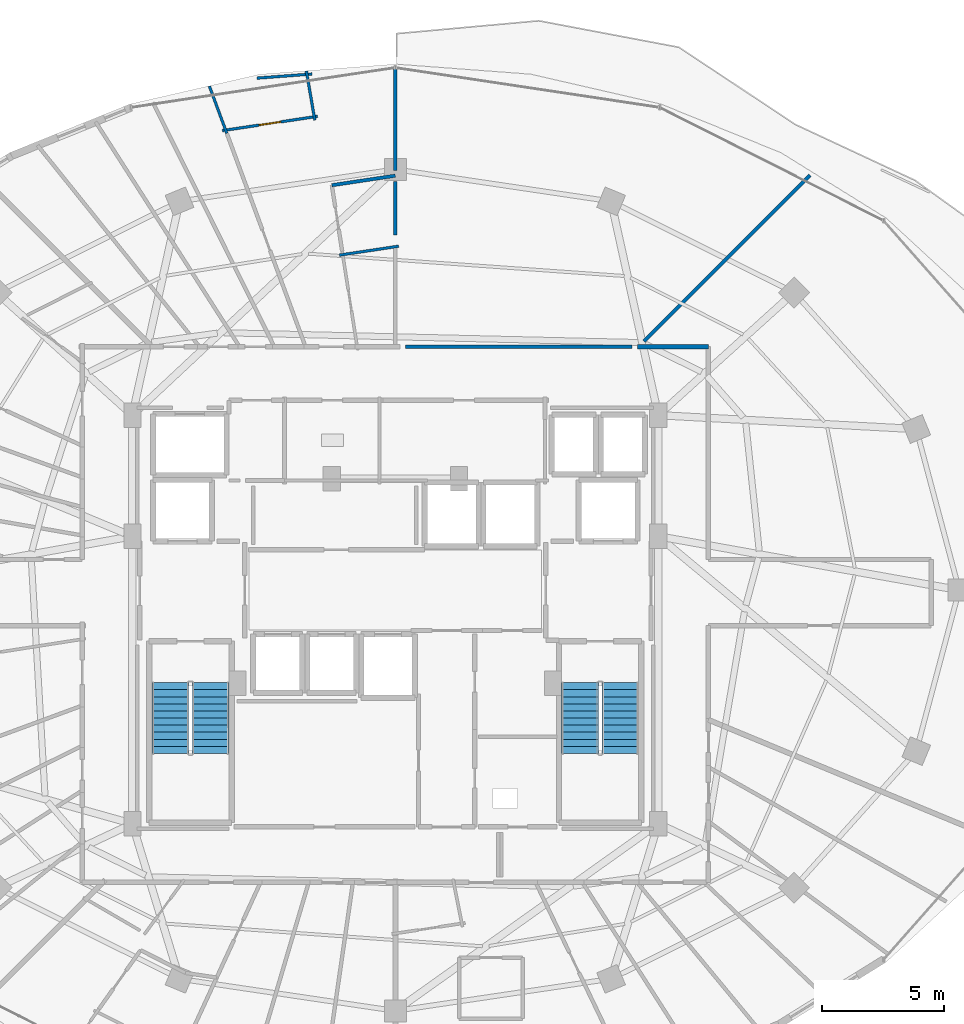
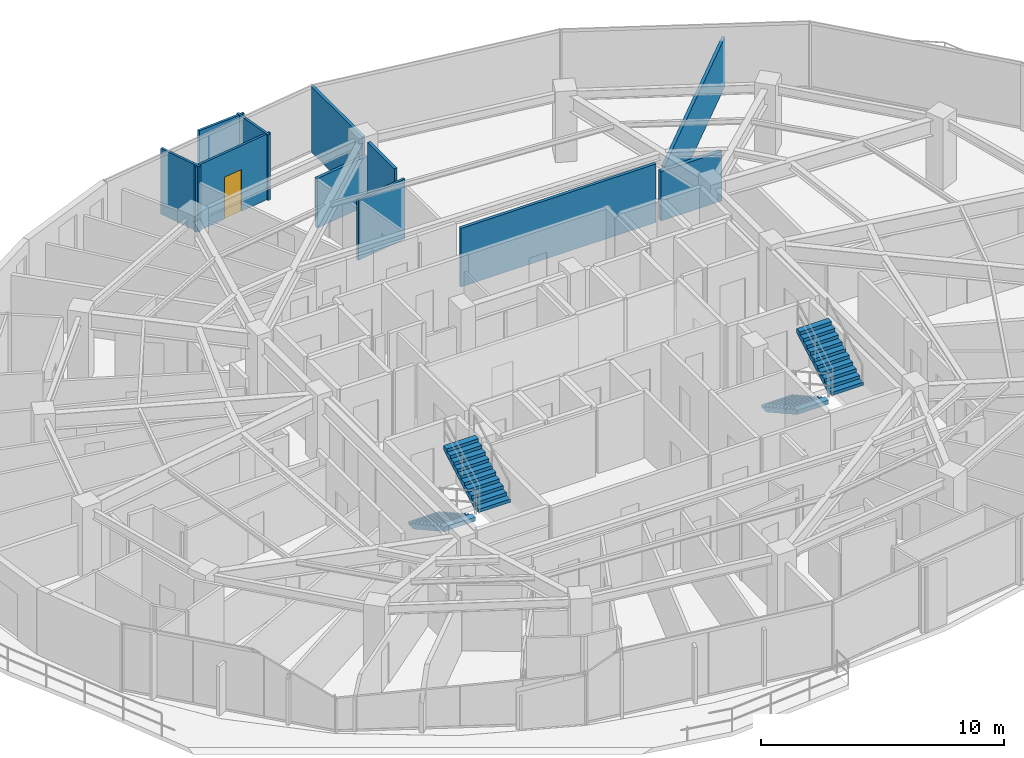
# One storey, part 29 of 32: 11 walls, 4 stair flights, 1 door, 1 opening, 2 elements without a shape of their own.
"""IFC4 building model written with IfcOpenShell, lengths in metres."""

from ifc_helpers import new_model, si_unit, direction, frame, frame_2d, origin, place, context, subcontext, project, spatial, polyline, rectangle, outline, extrude, material, layer, layer_set, type_object, element, fill, aggregate, save


model = new_model("IFC4")

# Units and contexts
model_context = context("Model", 3, precision=1e-05, world=origin(), true_north=direction((0.0, 1.0)))
body_context = subcontext(model_context, "Body", "Model", "MODEL_VIEW")
ifc_project = project(units=[si_unit("LENGTHUNIT", "METRE"), si_unit("AREAUNIT", "SQUARE_METRE"), si_unit("VOLUMEUNIT", "CUBIC_METRE"), si_unit("PLANEANGLEUNIT", "RADIAN"), si_unit("MASSUNIT", "GRAM", prefix="KILO")], contexts=[model_context])

# Site, building, storey
site_placement = place(None, origin())
site = spatial("IfcSite", under=ifc_project, at=site_placement, CompositionType="ELEMENT")
building_placement = place(site_placement, origin())
building = spatial("IfcBuilding", under=site, at=building_placement, Name="Vorneva Point Tower", CompositionType="ELEMENT")
storey_placement = place(building_placement, frame((0.0, 0.0, 207.199951171875)))
storey = spatial("IfcBuildingStorey", under=building, at=storey_placement, Name="L56", CompositionType="ELEMENT", Elevation=207.199951171875)

# Walls
ifc_material_1 = material(Name="Fire-rated acoustic gypsum stud partition", Category="gypsum")
ifc_layer_1 = layer(ifc_material_1, 0.110107421875)
ifc_layer_set_1 = layer_set([ifc_layer_1], Name="Fire-rated acoustic gypsum stud partition")
wall_type_1 = type_object("IfcWallType", Name="WL-PART-110", PredefinedType="PARTITIONING", material=ifc_layer_set_1)
wall_1_placement = place(storey_placement, frame((34.588623046875, 47.095458984375, 0.0), z_axis=(0.0, 0.0, 1.0), x_axis=(-0.997205784552, -0.074703569226, 0.0)))
element("IfcWall", 1, at=wall_1_placement, inside=storey, type_object=wall_type_1, Name="L56 Interior Partition 072", PredefinedType="PARTITIONING", context=body_context, shape_type="SweptSolid", body=[
    extrude(rectangle(XDim=2.24853515625, YDim=0.110107421875, at=frame_2d((1.124267578125, 0.0))), origin(), (0.0, 0.0, 1.0), 3.2900390625),
])
wall_2_placement = place(storey_placement, frame((34.365478515625, 47.218017578125, 0.0), z_axis=(0.0, 0.0, 1.0), x_axis=(0.168804313657, -0.985649584635, 0.0)))
element("IfcWall", 2, at=wall_2_placement, inside=storey, type_object=wall_type_1, Name="L56 Interior Partition 073", PredefinedType="PARTITIONING", context=body_context, shape_type="SweptSolid", body=[
    extrude(rectangle(XDim=2.039306640625, YDim=0.110107421875, at=frame_2d((1.01953125, 0.0))), origin(), (0.0, 0.0, 1.0), 3.2900390625),
])

# Wall, opening, door
wall_3_placement = place(storey_placement, frame((34.824462890625, 45.36669921875, 0.0), z_axis=(0.0, 0.0, 1.0), x_axis=(-0.988877230123, -0.148734070555, 0.0)))
wall_3 = element("IfcWall", 3, at=wall_3_placement, inside=storey, type_object=wall_type_1, Name="L56 Interior Partition 074", PredefinedType="PARTITIONING", context=body_context, shape_type="SweptSolid", body=[
    extrude(rectangle(XDim=3.94287109375, YDim=0.110107421875, at=frame_2d((1.971435546875, 0.0))), origin(), (0.0, 0.0, 1.0), 3.2900390625),
])
opening_placement = place(wall_3_placement, frame((1.521240234375, 0.0, 0.0)))
opening = element("IfcOpeningElement", 4, at=opening_placement, cuts=wall_3, Name="Opening ID-01", PredefinedType="OPENING", context=body_context, shape_type="SweptSolid", body=[
    extrude(rectangle(XDim=0.89990234375, YDim=2.10009765625, at=frame_2d((0.449951171875, 1.050048828125))), frame((0.0, 0.06982421875, 0.0), z_axis=(0.0, -1.0, 0.0), x_axis=(1.0, 0.0, 0.0)), (0.0, 0.0, 1.0), 0.139892578125),
])
ifc_material_2 = material(Name="Engineered oak fire-rated door leaf", Category="wood")
door_type = type_object("IfcDoorType", Name="DR-ROOM-900", OperationType="NOTDEFINED", PredefinedType="DOOR", material=ifc_material_2)
door_placement = place(opening_placement, origin())
door = element("IfcDoor", 5, at=door_placement, inside=storey, type_object=door_type, Name="L56 Door Living and Dining Room L56-01 / Kitchen L56-01", OperationType="SINGLE_SWING_LEFT", OverallHeight=2.10009765625, OverallWidth=0.89990234375, PredefinedType="DOOR", context=body_context, shape_type="SweptSolid", body=[
    extrude(rectangle(XDim=0.89990234375, YDim=2.10009765625, at=frame_2d((0.449951171875, 1.050048828125))), frame((0.0, 0.02490234375, 0.0), z_axis=(0.0, -1.0, 0.0), x_axis=(1.0, 0.0, 0.0)), (0.0, 0.0, 1.0), 0.050048828125),
])
fill(opening, door)

# Walls
wall_4_placement = place(storey_placement, frame((31.112548828125, 44.669677734375, 0.0), z_axis=(0.0, 0.0, 1.0), x_axis=(-0.346337161188, 0.938110105894, 0.0)))
element("IfcWall", 6, at=wall_4_placement, inside=storey, type_object=wall_type_1, Name="L56 Interior Partition 075", PredefinedType="PARTITIONING", context=body_context, shape_type="SweptSolid", body=[
    extrude(rectangle(XDim=2.05908203125, YDim=0.110107421875, at=frame_2d((1.029541015625, 0.0))), origin(), (0.0, 0.0, 1.0), 3.2900390625),
])
wall_5_placement = place(storey_placement, frame((38.138427734375, 40.056884765625, 0.0), z_axis=(0.0, 0.0, 1.0), x_axis=(-0.988892526147, -0.148632337431, 0.0)))
element("IfcWall", 7, at=wall_5_placement, inside=storey, type_object=wall_type_1, Name="L56 Interior Partition 079", PredefinedType="PARTITIONING", context=body_context, shape_type="SweptSolid", body=[
    extrude(rectangle(XDim=2.4541015625, YDim=0.110107421875, at=frame_2d((1.22705078125, 0.0))), origin(), (0.0, 0.0, 1.0), 3.02197265625),
])
ifc_layer_2 = layer(ifc_material_1, 0.139892578125)
ifc_layer_set_2 = layer_set([ifc_layer_2], Name="Fire-rated acoustic gypsum stud partition")
wall_type_2 = type_object("IfcWallType", Name="WL-PART-140", PredefinedType="PARTITIONING", material=ifc_layer_set_2)
wall_6_placement = place(storey_placement, frame((35.405029296875, 42.550048828125, 0.0), z_axis=(0.0, 0.0, 1.0), x_axis=(0.988900154693, 0.148581573718, 0.0)))
element("IfcWall", 8, at=wall_6_placement, inside=storey, type_object=wall_type_2, Name="L56 Interior Partition 076", PredefinedType="PARTITIONING", context=body_context, shape_type="SweptSolid", body=[
    extrude(rectangle(XDim=2.6240234375, YDim=0.139892578125, at=frame_2d((1.31201171875, 0.0))), origin(), (0.0, 0.0, 1.0), 2.48193359375),
])
wall_7_placement = place(storey_placement, frame((47.669921875, 35.949951171875, 0.0), z_axis=(0.0, 0.0, 1.0), x_axis=(-1.0, 0.0, 0.0)))
element("IfcWall", 9, at=wall_7_placement, inside=storey, type_object=wall_type_2, Name="L56 Interior Closure Partition 157", PredefinedType="PARTITIONING", context=body_context, shape_type="SweptSolid", body=[
    extrude(rectangle(XDim=9.25, YDim=0.139892578125, at=frame_2d((4.625, 0.0))), origin(), (0.0, 0.0, 1.0), 2.93603515625),
])
wall_8_placement = place(storey_placement, frame((38.0, 43.159912109375, 0.0), z_axis=(0.0, 0.0, 1.0), x_axis=(0.0, 1.0, 0.0)))
element("IfcWall", 10, at=wall_8_placement, inside=storey, type_object=wall_type_2, Name="L56 Interior Closure Partition 169", PredefinedType="PARTITIONING", context=body_context, shape_type="SweptSolid", body=[
    extrude(rectangle(XDim=4.190185546875, YDim=0.139892578125, at=frame_2d((2.09521484375, 0.0))), origin(), (0.0, 0.0, 1.0), 3.2900390625),
])
wall_9_placement = place(storey_placement, frame((38.0, 40.514892578125, 0.0), z_axis=(0.0, 0.0, 1.0), x_axis=(0.0, 1.0, 0.0)))
element("IfcWall", 11, at=wall_9_placement, inside=storey, type_object=wall_type_2, Name="L56 Interior Closure Partition 171", PredefinedType="PARTITIONING", context=body_context, shape_type="SweptSolid", body=[
    extrude(rectangle(XDim=2.195068359375, YDim=0.139892578125, at=frame_2d((1.09765625, 0.0))), origin(), (0.0, 0.0, 1.0), 3.2900390625),
])
wall_10_placement = place(storey_placement, frame((54.958984375, 42.958984375, 0.0), z_axis=(0.0, 0.0, 1.0), x_axis=(-0.707106781187, -0.707106781187, 0.0)))
element("IfcWall", 12, at=wall_10_placement, inside=storey, type_object=wall_type_2, Name="L56 Interior Closure Partition 172", PredefinedType="PARTITIONING", context=body_context, shape_type="SweptSolid", body=[
    extrude(rectangle(XDim=9.60107421875, YDim=0.139892578125, at=frame_2d((4.800537109375, 0.0))), origin(), (0.0, 0.0, 1.0), 2.48193359375),
])
ifc_material_3 = material(Name="Autoclaved aerated concrete blockwork", Category="masonry")
ifc_layer_3 = layer(ifc_material_3, 0.179931640625)
ifc_layer_set_3 = layer_set([ifc_layer_3], Name="Autoclaved aerated concrete blockwork")
wall_type_3 = type_object("IfcWallType", Name="WL-PART-180", PredefinedType="PARTITIONING", material=ifc_layer_set_3)
wall_11_placement = place(storey_placement, frame((50.800048828125, 35.949951171875, 0.0), z_axis=(0.0, 0.0, 1.0), x_axis=(-1.0, 0.0, 0.0)))
element("IfcWall", 13, at=wall_11_placement, inside=storey, type_object=wall_type_3, Name="L56 Interior Partition 070", PredefinedType="PARTITIONING", context=body_context, shape_type="SweptSolid", body=[
    extrude(rectangle(XDim=2.91015625, YDim=0.179931640625, at=frame_2d((1.455078125, 0.0))), origin(), (0.0, 0.0, 1.0), 2.48193359375),
])

# Stair, stair flights
ifc_material_4 = material(Name="Concrete B50 (C40/50)", Category="concrete")
stair_type = type_object("IfcStairType", Name="ST-DOG-1500", PredefinedType="HALF_TURN_STAIR", material=ifc_material_4)
stair_1_placement = place(storey_placement, origin())
stair_1 = element("IfcStair", 14, at=stair_1_placement, inside=storey, type_object=stair_type, Name="L56 ST1", PredefinedType="HALF_TURN_STAIR")
stair_flight_type = type_object("IfcStairFlightType", Name="STF-1500", PredefinedType="STRAIGHT", material=ifc_material_4)
stair_flight_1_placement = place(storey_placement, frame((28.800048828125, 22.219970703125, 0.0), z_axis=(0.0, 0.0, 1.0), x_axis=(0.0, -1.0, 0.0)))
stair_flight_1 = element("IfcStairFlight", 15, at=stair_flight_1_placement, type_object=stair_flight_type, Name="ST1 flight 1", NumberOfRisers=11, NumberOfTreads=10, PredefinedType="STRAIGHT", RiserHeight=0.161363636, TreadLength=0.29, context=body_context, shape_type="SweptSolid", body=[
    extrude(outline(polyline([(0.0, 0.0), (0.0, 0.161376953125), (0.2900390625, 0.161376953125), (0.2900390625, 0.32275390625), (0.580078125, 0.32275390625), (0.580078125, 0.484130859375), (0.8701171875, 0.484130859375), (0.8701171875, 0.6455078125), (1.159912109375, 0.6455078125), (1.159912109375, 0.806884765625), (1.449951171875, 0.806884765625), (1.449951171875, 0.96826171875), (1.739990234375, 0.96826171875), (1.739990234375, 1.129638671875), (2.030029296875, 1.129638671875), (2.030029296875, 1.291015625), (2.320068359375, 1.291015625), (2.320068359375, 1.452392578125), (2.610107421875, 1.452392578125), (2.610107421875, 1.613525390625), (2.89990234375, 1.613525390625), (2.89990234375, 1.77490234375), (2.89990234375, 1.40771484375), (0.3701171875, 0.0), (0.0, 0.0)])), frame((0.0, 0.75, 0.0), z_axis=(0.0, -1.0, 0.0), x_axis=(1.0, 0.0, 0.0)), (0.0, 0.0, 1.0), 1.5),
])
stair_flight_2_placement = place(storey_placement, frame((30.449951171875, 19.320068359375, 1.775146484375), z_axis=(0.0, 0.0, 1.0), x_axis=(0.0, 1.0, 0.0)))
stair_flight_2 = element("IfcStairFlight", 16, at=stair_flight_2_placement, type_object=stair_flight_type, Name="ST1 flight 2", NumberOfRisers=11, NumberOfTreads=10, PredefinedType="STRAIGHT", RiserHeight=0.161363636, TreadLength=0.29, context=body_context, shape_type="SweptSolid", body=[
    extrude(outline(polyline([(0.0, 0.0), (0.0, 0.161376953125), (0.2900390625, 0.161376953125), (0.2900390625, 0.32275390625), (0.580078125, 0.32275390625), (0.580078125, 0.484130859375), (0.8701171875, 0.484130859375), (0.8701171875, 0.6455078125), (1.159912109375, 0.6455078125), (1.159912109375, 0.806884765625), (1.449951171875, 0.806884765625), (1.449951171875, 0.96826171875), (1.739990234375, 0.96826171875), (1.739990234375, 1.129638671875), (2.030029296875, 1.129638671875), (2.030029296875, 1.291015625), (2.320068359375, 1.291015625), (2.320068359375, 1.452392578125), (2.610107421875, 1.452392578125), (2.610107421875, 1.613525390625), (2.89990234375, 1.613525390625), (2.89990234375, 1.77490234375), (2.89990234375, 1.40771484375), (0.3701171875, 0.0), (0.0, 0.0)])), frame((0.0, 0.75, 0.0), z_axis=(0.0, -1.0, 0.0), x_axis=(1.0, 0.0, 0.0)), (0.0, 0.0, 1.0), 1.5),
])
aggregate(stair_1, [stair_flight_1, stair_flight_2])

stair_2_placement = place(storey_placement, origin())
stair_2 = element("IfcStair", 17, at=stair_2_placement, inside=storey, type_object=stair_type, Name="L56 ST2", PredefinedType="HALF_TURN_STAIR")
stair_flight_3_placement = place(storey_placement, frame((45.550048828125, 22.219970703125, 0.0), z_axis=(0.0, 0.0, 1.0), x_axis=(0.0, -1.0, 0.0)))
stair_flight_3 = element("IfcStairFlight", 18, at=stair_flight_3_placement, type_object=stair_flight_type, Name="ST2 flight 1", NumberOfRisers=11, NumberOfTreads=10, PredefinedType="STRAIGHT", RiserHeight=0.161363636, TreadLength=0.29, context=body_context, shape_type="SweptSolid", body=[
    extrude(outline(polyline([(0.0, 0.0), (0.0, 0.161376953125), (0.2900390625, 0.161376953125), (0.2900390625, 0.32275390625), (0.580078125, 0.32275390625), (0.580078125, 0.484130859375), (0.8701171875, 0.484130859375), (0.8701171875, 0.6455078125), (1.159912109375, 0.6455078125), (1.159912109375, 0.806884765625), (1.449951171875, 0.806884765625), (1.449951171875, 0.96826171875), (1.739990234375, 0.96826171875), (1.739990234375, 1.129638671875), (2.030029296875, 1.129638671875), (2.030029296875, 1.291015625), (2.320068359375, 1.291015625), (2.320068359375, 1.452392578125), (2.610107421875, 1.452392578125), (2.610107421875, 1.613525390625), (2.89990234375, 1.613525390625), (2.89990234375, 1.77490234375), (2.89990234375, 1.40771484375), (0.3701171875, 0.0), (0.0, 0.0)])), frame((0.0, 0.75, 0.0), z_axis=(0.0, -1.0, 0.0), x_axis=(1.0, 0.0, 0.0)), (0.0, 0.0, 1.0), 1.5),
])
stair_flight_4_placement = place(storey_placement, frame((47.199951171875, 19.320068359375, 1.775146484375), z_axis=(0.0, 0.0, 1.0), x_axis=(0.0, 1.0, 0.0)))
stair_flight_4 = element("IfcStairFlight", 19, at=stair_flight_4_placement, type_object=stair_flight_type, Name="ST2 flight 2", NumberOfRisers=11, NumberOfTreads=10, PredefinedType="STRAIGHT", RiserHeight=0.161363636, TreadLength=0.29, context=body_context, shape_type="SweptSolid", body=[
    extrude(outline(polyline([(0.0, 0.0), (0.0, 0.161376953125), (0.2900390625, 0.161376953125), (0.2900390625, 0.32275390625), (0.580078125, 0.32275390625), (0.580078125, 0.484130859375), (0.8701171875, 0.484130859375), (0.8701171875, 0.6455078125), (1.159912109375, 0.6455078125), (1.159912109375, 0.806884765625), (1.449951171875, 0.806884765625), (1.449951171875, 0.96826171875), (1.739990234375, 0.96826171875), (1.739990234375, 1.129638671875), (2.030029296875, 1.129638671875), (2.030029296875, 1.291015625), (2.320068359375, 1.291015625), (2.320068359375, 1.452392578125), (2.610107421875, 1.452392578125), (2.610107421875, 1.613525390625), (2.89990234375, 1.613525390625), (2.89990234375, 1.77490234375), (2.89990234375, 1.40771484375), (0.3701171875, 0.0), (0.0, 0.0)])), frame((0.0, 0.75, 0.0), z_axis=(0.0, -1.0, 0.0), x_axis=(1.0, 0.0, 0.0)), (0.0, 0.0, 1.0), 1.5),
])
aggregate(stair_2, [stair_flight_3, stair_flight_4])

save(model, "model.ifc")
